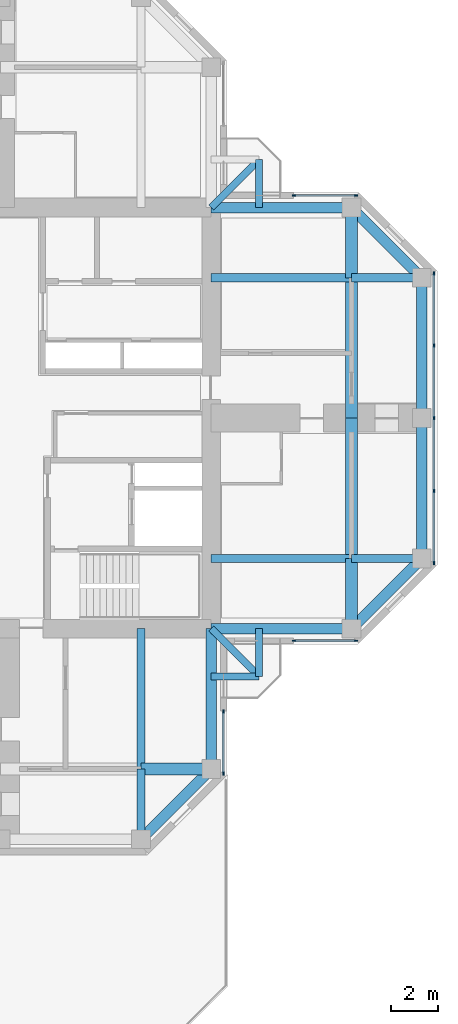
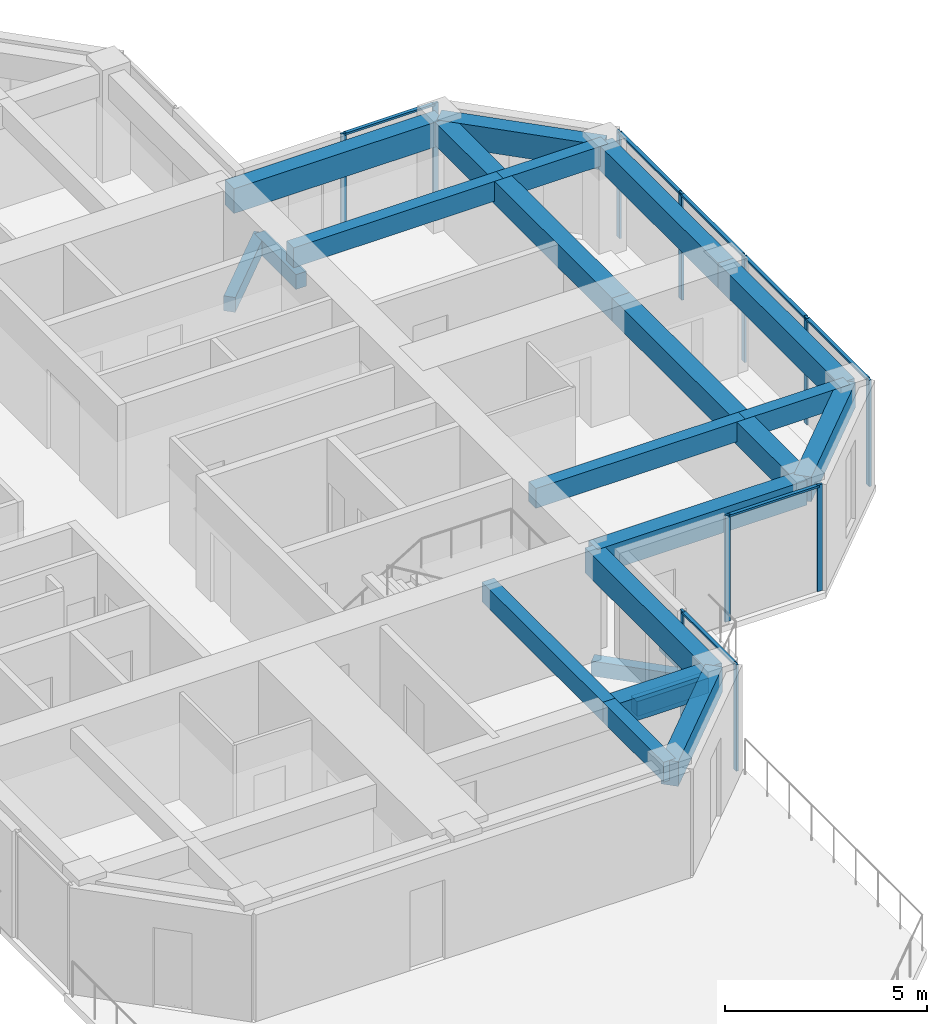
# One storey, part 5 of 14: 24 beams, 18 members, 4 elements without a shape of their own.
"""IFC4 building model written with IfcOpenShell, lengths in metres."""

from ifc_helpers import new_model, si_unit, direction, frame, origin, origin_2d, place, context, subcontext, project, spatial, rectangle, extrude, material, material_profile, profile_set, type_object, element, aggregate, save


model = new_model("IFC4")

# Units and contexts
model_context = context("Model", 3, precision=1e-05, world=origin(), true_north=direction((0.0, 1.0)))
body_context = subcontext(model_context, "Body", "Model", "MODEL_VIEW")
ifc_project = project(units=[si_unit("LENGTHUNIT", "METRE"), si_unit("AREAUNIT", "SQUARE_METRE"), si_unit("VOLUMEUNIT", "CUBIC_METRE"), si_unit("PLANEANGLEUNIT", "RADIAN"), si_unit("MASSUNIT", "GRAM", prefix="KILO")], contexts=[model_context])

# Site, building, storey
site_placement = place(None, origin())
site = spatial("IfcSite", under=ifc_project, at=site_placement, CompositionType="ELEMENT")
building_placement = place(site_placement, origin())
building = spatial("IfcBuilding", under=site, at=building_placement, Name="Torre Cruceta", CompositionType="ELEMENT")
storey_placement = place(building_placement, frame((0.0, 0.0, 222.10009765625)))
storey = spatial("IfcBuildingStorey", under=building, at=storey_placement, Name="L56", CompositionType="ELEMENT", Elevation=222.10009765625)

# Beams
ifc_material_1 = material(Name="Concrete G60 (fck 60 MPa)", Category="concrete")
ifc_material_profile_1 = material_profile(ifc_material_1, rectangle(XDim=0.300048828125, YDim=0.449951171875, at=origin_2d()), Name="RC 300X450")
ifc_profile_set_1 = profile_set([ifc_material_profile_1], Name="Concrete G60 (fck 60 MPa)")
beam_type_1 = type_object("IfcBeamType", Name="BALCONY CANTILEVER BEAM RC 300X450", PredefinedType="BEAM", material=ifc_profile_set_1)
beam_1_placement = place(storey_placement, frame((9.0, 9.0, -0.405029296875), z_axis=(0.707106781187, 0.707106781187, 0.0), x_axis=(-0.707106781187, 0.707106781187, 0.0)))
element("IfcBeam", 1, at=beam_1_placement, inside=storey, type_object=beam_type_1, Name="BB1 balcony beam L56 E", PredefinedType="BEAM", context=body_context, shape_type="SweptSolid", body=[
    extrude(rectangle(XDim=0.300048828125, YDim=0.449951171875, at=origin_2d()), origin(), (0.0, 0.0, 1.0), 2.89990234375),
])
beam_2_placement = place(storey_placement, frame((11.050537109375, 9.0, -0.405029296875), z_axis=(0.0, 1.0, 0.0), x_axis=(-1.0, 0.0, 0.0)))
element("IfcBeam", 2, at=beam_2_placement, inside=storey, type_object=beam_type_1, Name="BB1 balcony edge beam L56 E-X", PredefinedType="BEAM", context=body_context, shape_type="SweptSolid", body=[
    extrude(rectangle(XDim=0.300048828125, YDim=0.449951171875, at=origin_2d()), origin(), (0.0, 0.0, 1.0), 2.050537109375),
])
beam_3_placement = place(storey_placement, frame((9.0, -9.0, -0.405029296875), z_axis=(0.707106781187, -0.707106781187, 0.0), x_axis=(0.707106781187, 0.707106781187, 0.0)))
element("IfcBeam", 3, at=beam_3_placement, inside=storey, type_object=beam_type_1, Name="BB1 balcony beam L56 S", PredefinedType="BEAM", context=body_context, shape_type="SweptSolid", body=[
    extrude(rectangle(XDim=0.300048828125, YDim=0.449951171875, at=origin_2d()), origin(), (0.0, 0.0, 1.0), 2.89990234375),
])
for number, where, z_axis, x_axis, name in (
    (4, (11.050537109375, -9.0, -0.405029296875), (0.0, -1.0, 0.0), (1.0, 0.0, 0.0), "BB1 balcony edge beam L56 S-X"),
    (5, (9.0, -11.050537109375, -0.405029296875), (1.0, 0.0, 0.0), (0.0, 1.0, 0.0), "BB1 balcony edge beam L56 S-Y"),
):
    element("IfcBeam", number, at=place(storey_placement, frame(where, z_axis=z_axis, x_axis=x_axis)), inside=storey, type_object=beam_type_1, Name=name, PredefinedType="BEAM", context=body_context, shape_type="SweptSolid", body=[
        extrude(rectangle(XDim=0.300048828125, YDim=0.449951171875, at=origin_2d()), origin(), (0.0, 0.0, 1.0), 2.050537109375),
    ])
ifc_material_2 = material(Name="Concrete G60 (fck 60 MPa)", Category="concrete")
ifc_material_profile_2 = material_profile(ifc_material_2, rectangle(XDim=0.35009765625, YDim=0.60009765625, at=origin_2d()), Name="RC 350X600")
ifc_profile_set_2 = profile_set([ifc_material_profile_2], Name="Concrete G60 (fck 60 MPa)")
beam_type_2 = type_object("IfcBeamType", Name="COLUMN LINE BEAM RC 350X600", PredefinedType="BEAM", material=ifc_profile_set_2)
beam_4_placement = place(storey_placement, frame((9.0, -6.0, 2.919921875), z_axis=(1.0, 0.0, 0.0), x_axis=(0.0, 1.0, 0.0)))
element("IfcBeam", 6, at=beam_4_placement, inside=storey, type_object=beam_type_2, Name="LB9 L56 E col- 1", PredefinedType="BEAM", context=body_context, shape_type="SweptSolid", body=[
    extrude(rectangle(XDim=0.35009765625, YDim=0.60009765625, at=origin_2d()), origin(), (0.0, 0.0, 1.0), 6.0),
])
beam_5_placement = place(storey_placement, frame((15.0, -6.0, 2.919921875), z_axis=(1.0, 0.0, 0.0), x_axis=(0.0, 1.0, 0.0)))
element("IfcBeam", 7, at=beam_5_placement, inside=storey, type_object=beam_type_2, Name="LB9 L56 E col- 2", PredefinedType="BEAM", context=body_context, shape_type="SweptSolid", body=[
    extrude(rectangle(XDim=0.35009765625, YDim=0.60009765625, at=origin_2d()), origin(), (0.0, 0.0, 1.0), 3.0),
])
beam_6_placement = place(storey_placement, frame((9.0, 6.0, 2.919921875), z_axis=(1.0, 0.0, 0.0), x_axis=(0.0, 1.0, 0.0)))
element("IfcBeam", 8, at=beam_6_placement, inside=storey, type_object=beam_type_2, Name="LB9 L56 E col+ 1", PredefinedType="BEAM", context=body_context, shape_type="SweptSolid", body=[
    extrude(rectangle(XDim=0.35009765625, YDim=0.60009765625, at=origin_2d()), origin(), (0.0, 0.0, 1.0), 6.0),
])
beam_7_placement = place(storey_placement, frame((15.0, 6.0, 2.919921875), z_axis=(1.0, 0.0, 0.0), x_axis=(0.0, 1.0, 0.0)))
element("IfcBeam", 9, at=beam_7_placement, inside=storey, type_object=beam_type_2, Name="LB9 L56 E col+ 2", PredefinedType="BEAM", context=body_context, shape_type="SweptSolid", body=[
    extrude(rectangle(XDim=0.35009765625, YDim=0.60009765625, at=origin_2d()), origin(), (0.0, 0.0, 1.0), 3.0),
])
beam_8_placement = place(storey_placement, frame((6.0, -9.0, 2.919921875), z_axis=(0.0, -1.0, 0.0), x_axis=(1.0, 0.0, 0.0)))
element("IfcBeam", 10, at=beam_8_placement, inside=storey, type_object=beam_type_2, Name="LB9 L56 S col+ 1", PredefinedType="BEAM", context=body_context, shape_type="SweptSolid", body=[
    extrude(rectangle(XDim=0.35009765625, YDim=0.60009765625, at=origin_2d()), origin(), (0.0, 0.0, 1.0), 6.0),
])
beam_9_placement = place(storey_placement, frame((6.0, -15.0, 2.919921875), z_axis=(0.0, -1.0, 0.0), x_axis=(1.0, 0.0, 0.0)))
element("IfcBeam", 11, at=beam_9_placement, inside=storey, type_object=beam_type_2, Name="LB9 L56 S col+ 2", PredefinedType="BEAM", context=body_context, shape_type="SweptSolid", body=[
    extrude(rectangle(XDim=0.35009765625, YDim=0.60009765625, at=origin_2d()), origin(), (0.0, 0.0, 1.0), 3.0),
])
ifc_material_3 = material(Name="Concrete G60 (fck 60 MPa)", Category="concrete")
ifc_material_profile_3 = material_profile(ifc_material_3, rectangle(XDim=0.5, YDim=0.699951171875, at=origin_2d()), Name="RC 500X700")
ifc_profile_set_3 = profile_set([ifc_material_profile_3], Name="Concrete G60 (fck 60 MPa)")
beam_type_3 = type_object("IfcBeamType", Name="CROSS BEAM RC 500X700", PredefinedType="BEAM", material=ifc_profile_set_3)
beam_10_placement = place(storey_placement, frame((15.0, -9.0, 2.869873046875), z_axis=(0.0, 1.0, 0.0), x_axis=(-1.0, 0.0, 0.0)))
element("IfcBeam", 12, at=beam_10_placement, inside=storey, type_object=beam_type_3, Name="GB7 L56 E cross15 1", PredefinedType="BEAM", context=body_context, shape_type="SweptSolid", body=[
    extrude(rectangle(XDim=0.5, YDim=0.699951171875, at=origin_2d()), origin(), (0.0, 0.0, 1.0), 3.0),
])
for number, where, z_axis, x_axis, name in (
    (13, (15.0, -6.0, 2.869873046875), (0.0, 1.0, 0.0), (-1.0, 0.0, 0.0), "GB7 L56 E cross15 2"),
    (14, (15.0, 0.0, 2.869873046875), (0.0, 1.0, 0.0), (-1.0, 0.0, 0.0), "GB7 L56 E cross15 3"),
):
    element("IfcBeam", number, at=place(storey_placement, frame(where, z_axis=z_axis, x_axis=x_axis)), inside=storey, type_object=beam_type_3, Name=name, PredefinedType="BEAM", context=body_context, shape_type="SweptSolid", body=[
        extrude(rectangle(XDim=0.5, YDim=0.699951171875, at=origin_2d()), origin(), (0.0, 0.0, 1.0), 6.0),
    ])
for number, where, z_axis, x_axis, name in (
    (15, (15.0, 6.0, 2.869873046875), (0.0, 1.0, 0.0), (-1.0, 0.0, 0.0), "GB7 L56 E cross15 4"),
    (16, (6.0, -15.0, 2.869873046875), (1.0, 0.0, 0.0), (0.0, 1.0, 0.0), "GB7 L56 S cross15 4"),
):
    element("IfcBeam", number, at=place(storey_placement, frame(where, z_axis=z_axis, x_axis=x_axis)), inside=storey, type_object=beam_type_3, Name=name, PredefinedType="BEAM", context=body_context, shape_type="SweptSolid", body=[
        extrude(rectangle(XDim=0.5, YDim=0.699951171875, at=origin_2d()), origin(), (0.0, 0.0, 1.0), 3.0),
    ])

# Curtain wall, members
ifc_material_4 = material(Name="Aluminium unitised curtain wall", Category="aluminium")
curtain_wall_type = type_object("IfcCurtainWallType", Name="CURTAIN WALL CW-D CO-LIVING UPPER", PredefinedType="USERDEFINED", material=ifc_material_4)
curtain_wall_1_placement = place(storey_placement, origin())
curtain_wall_1 = element("IfcCurtainWall", 17, at=curtain_wall_1_placement, inside=storey, type_object=curtain_wall_type, Name="CW-D L56 E side 00", ObjectType="UNITISED", PredefinedType="USERDEFINED")
ifc_material_5 = material(Name="Aluminium mullion", Category="aluminium")
ifc_material_profile_4 = material_profile(ifc_material_5, rectangle(XDim=0.06005859375, YDim=0.14990234375, at=origin_2d()), Name="AL 60X150")
ifc_profile_set_4 = profile_set([ifc_material_profile_4], Name="Aluminium mullion")
member_type_1 = type_object("IfcMemberType", Name="CW-D MULLION 60X150", PredefinedType="MULLION", material=ifc_profile_set_4)
member_1_placement = place(storey_placement, frame((12.550048828125, -9.52001953125, 0.0), z_axis=(0.0, 0.0, 1.0), x_axis=(0.0, 1.0, 0.0)))
member_1 = element("IfcMember", 18, at=member_1_placement, type_object=member_type_1, Name="CW-D mullion 1", PredefinedType="MULLION", context=body_context, shape_type="SweptSolid", body=[
    extrude(rectangle(XDim=0.06005859375, YDim=0.14990234375, at=origin_2d()), origin(), (0.0, 0.0, 1.0), 3.219970703125),
])
member_2_placement = place(storey_placement, frame((15.185302734375, -9.52001953125, 0.0), z_axis=(0.0, 0.0, 1.0), x_axis=(0.0, 1.0, 0.0)))
member_2 = element("IfcMember", 19, at=member_2_placement, type_object=member_type_1, Name="CW-D mullion 2", PredefinedType="MULLION", context=body_context, shape_type="SweptSolid", body=[
    extrude(rectangle(XDim=0.06005859375, YDim=0.14990234375, at=origin_2d()), origin(), (0.0, 0.0, 1.0), 3.219970703125),
])

curtain_wall_2_placement = place(storey_placement, origin())
curtain_wall_2 = element("IfcCurtainWall", 20, at=curtain_wall_2_placement, inside=storey, type_object=curtain_wall_type, Name="CW-D L56 E tip 02", ObjectType="UNITISED", PredefinedType="USERDEFINED")
member_3_placement = place(storey_placement, frame((18.52001953125, -6.185302734375, 0.0), z_axis=(0.0, 0.0, 1.0), x_axis=(-1.0, 0.0, 0.0)))
member_3 = element("IfcMember", 21, at=member_3_placement, type_object=member_type_1, Name="CW-D mullion 1", PredefinedType="MULLION", context=body_context, shape_type="SweptSolid", body=[
    extrude(rectangle(XDim=0.06005859375, YDim=0.14990234375, at=origin_2d()), origin(), (0.0, 0.0, 1.0), 3.219970703125),
])
member_4_placement = place(storey_placement, frame((18.52001953125, -3.107666015625, 0.0), z_axis=(0.0, 0.0, 1.0), x_axis=(-1.0, 0.0, 0.0)))
member_4 = element("IfcMember", 22, at=member_4_placement, type_object=member_type_1, Name="CW-D mullion 2", PredefinedType="MULLION", context=body_context, shape_type="SweptSolid", body=[
    extrude(rectangle(XDim=0.06005859375, YDim=0.14990234375, at=origin_2d()), origin(), (0.0, 0.0, 1.0), 3.219970703125),
])
member_5_placement = place(storey_placement, frame((18.52001953125, 0.0, 0.0), z_axis=(0.0, 0.0, 1.0), x_axis=(-1.0, 0.0, 0.0)))
member_5 = element("IfcMember", 23, at=member_5_placement, type_object=member_type_1, Name="CW-D mullion 3", PredefinedType="MULLION", context=body_context, shape_type="SweptSolid", body=[
    extrude(rectangle(XDim=0.06005859375, YDim=0.14990234375, at=origin_2d()), origin(), (0.0, 0.0, 1.0), 3.219970703125),
])
member_6_placement = place(storey_placement, frame((18.52001953125, 3.107666015625, 0.0), z_axis=(0.0, 0.0, 1.0), x_axis=(-1.0, 0.0, 0.0)))
member_6 = element("IfcMember", 24, at=member_6_placement, type_object=member_type_1, Name="CW-D mullion 4", PredefinedType="MULLION", context=body_context, shape_type="SweptSolid", body=[
    extrude(rectangle(XDim=0.06005859375, YDim=0.14990234375, at=origin_2d()), origin(), (0.0, 0.0, 1.0), 3.219970703125),
])
member_7_placement = place(storey_placement, frame((18.52001953125, 6.185302734375, 0.0), z_axis=(0.0, 0.0, 1.0), x_axis=(-1.0, 0.0, 0.0)))
member_7 = element("IfcMember", 25, at=member_7_placement, type_object=member_type_1, Name="CW-D mullion 5", PredefinedType="MULLION", context=body_context, shape_type="SweptSolid", body=[
    extrude(rectangle(XDim=0.06005859375, YDim=0.14990234375, at=origin_2d()), origin(), (0.0, 0.0, 1.0), 3.219970703125),
])

curtain_wall_3_placement = place(storey_placement, origin())
curtain_wall_3 = element("IfcCurtainWall", 26, at=curtain_wall_3_placement, inside=storey, type_object=curtain_wall_type, Name="CW-D L56 E side 04", ObjectType="UNITISED", PredefinedType="USERDEFINED")
member_8_placement = place(storey_placement, frame((15.185302734375, 9.52001953125, 0.0), z_axis=(0.0, 0.0, 1.0), x_axis=(0.0, -1.0, 0.0)))
member_8 = element("IfcMember", 27, at=member_8_placement, type_object=member_type_1, Name="CW-D mullion 1", PredefinedType="MULLION", context=body_context, shape_type="SweptSolid", body=[
    extrude(rectangle(XDim=0.06005859375, YDim=0.14990234375, at=origin_2d()), origin(), (0.0, 0.0, 1.0), 3.219970703125),
])
member_9_placement = place(storey_placement, frame((12.550048828125, 9.52001953125, 0.0), z_axis=(0.0, 0.0, 1.0), x_axis=(0.0, -1.0, 0.0)))
member_9 = element("IfcMember", 28, at=member_9_placement, type_object=member_type_1, Name="CW-D mullion 2", PredefinedType="MULLION", context=body_context, shape_type="SweptSolid", body=[
    extrude(rectangle(XDim=0.06005859375, YDim=0.14990234375, at=origin_2d()), origin(), (0.0, 0.0, 1.0), 3.219970703125),
])

curtain_wall_4_placement = place(storey_placement, origin())
curtain_wall_4 = element("IfcCurtainWall", 29, at=curtain_wall_4_placement, inside=storey, type_object=curtain_wall_type, Name="CW-D L56 S side 19", ObjectType="UNITISED", PredefinedType="USERDEFINED")
member_10_placement = place(storey_placement, frame((9.52001953125, -15.185302734375, 0.0), z_axis=(0.0, 0.0, 1.0), x_axis=(-1.0, 0.0, 0.0)))
member_10 = element("IfcMember", 30, at=member_10_placement, type_object=member_type_1, Name="CW-D mullion 1", PredefinedType="MULLION", context=body_context, shape_type="SweptSolid", body=[
    extrude(rectangle(XDim=0.06005859375, YDim=0.14990234375, at=origin_2d()), origin(), (0.0, 0.0, 1.0), 3.219970703125),
])
member_11_placement = place(storey_placement, frame((9.52001953125, -12.550048828125, 0.0), z_axis=(0.0, 0.0, 1.0), x_axis=(-1.0, 0.0, 0.0)))
member_11 = element("IfcMember", 31, at=member_11_placement, type_object=member_type_1, Name="CW-D mullion 2", PredefinedType="MULLION", context=body_context, shape_type="SweptSolid", body=[
    extrude(rectangle(XDim=0.06005859375, YDim=0.14990234375, at=origin_2d()), origin(), (0.0, 0.0, 1.0), 3.219970703125),
])

# Member
ifc_material_6 = material(Name="Aluminium transom", Category="aluminium")
ifc_material_profile_5 = material_profile(ifc_material_6, rectangle(XDim=0.10009765625, YDim=0.06005859375, at=origin_2d()), Name="AL 100X60")
ifc_profile_set_5 = profile_set([ifc_material_profile_5], Name="Aluminium transom")
member_type_2 = type_object("IfcMemberType", Name="CW-D TRANSOM 60X100", PredefinedType="USERDEFINED", material=ifc_profile_set_5)
member_12_placement = place(storey_placement, frame((12.580078125, -9.52001953125, 3.18994140625), z_axis=(1.0, 0.0, 0.0), x_axis=(0.0, 1.0, 0.0)))
member_12 = element("IfcMember", 32, at=member_12_placement, type_object=member_type_2, Name="CW-D transom 1", ObjectType="TRANSOM", PredefinedType="USERDEFINED", context=body_context, shape_type="SweptSolid", body=[
    extrude(rectangle(XDim=0.10009765625, YDim=0.06005859375, at=origin_2d()), origin(), (0.0, 0.0, 1.0), 2.5751953125),
])

aggregate(curtain_wall_1, [member_1, member_2, member_12])

member_13_placement = place(storey_placement, frame((18.52001953125, -6.1552734375, 3.18994140625), z_axis=(0.0, 1.0, 0.0), x_axis=(-1.0, 0.0, 0.0)))
member_13 = element("IfcMember", 33, at=member_13_placement, type_object=member_type_2, Name="CW-D transom 1", ObjectType="TRANSOM", PredefinedType="USERDEFINED", context=body_context, shape_type="SweptSolid", body=[
    extrude(rectangle(XDim=0.10009765625, YDim=0.06005859375, at=origin_2d()), origin(), (0.0, 0.0, 1.0), 3.017578125),
])

member_14_placement = place(storey_placement, frame((18.52001953125, -3.07763671875, 3.18994140625), z_axis=(0.0, 1.0, 0.0), x_axis=(-1.0, 0.0, 0.0)))
member_14 = element("IfcMember", 34, at=member_14_placement, type_object=member_type_2, Name="CW-D transom 2", ObjectType="TRANSOM", PredefinedType="USERDEFINED", context=body_context, shape_type="SweptSolid", body=[
    extrude(rectangle(XDim=0.10009765625, YDim=0.06005859375, at=origin_2d()), origin(), (0.0, 0.0, 1.0), 3.047607421875),
])

member_15_placement = place(storey_placement, frame((18.52001953125, 0.030029296875, 3.18994140625), z_axis=(0.0, 1.0, 0.0), x_axis=(-1.0, 0.0, 0.0)))
member_15 = element("IfcMember", 35, at=member_15_placement, type_object=member_type_2, Name="CW-D transom 3", ObjectType="TRANSOM", PredefinedType="USERDEFINED", context=body_context, shape_type="SweptSolid", body=[
    extrude(rectangle(XDim=0.10009765625, YDim=0.06005859375, at=origin_2d()), origin(), (0.0, 0.0, 1.0), 3.047607421875),
])

member_16_placement = place(storey_placement, frame((18.52001953125, 3.1376953125, 3.18994140625), z_axis=(0.0, 1.0, 0.0), x_axis=(-1.0, 0.0, 0.0)))
member_16 = element("IfcMember", 36, at=member_16_placement, type_object=member_type_2, Name="CW-D transom 4", ObjectType="TRANSOM", PredefinedType="USERDEFINED", context=body_context, shape_type="SweptSolid", body=[
    extrude(rectangle(XDim=0.10009765625, YDim=0.06005859375, at=origin_2d()), origin(), (0.0, 0.0, 1.0), 3.017578125),
])

aggregate(curtain_wall_2, [member_3, member_4, member_5, member_6, member_7, member_13, member_14, member_15, member_16])

member_17_placement = place(storey_placement, frame((15.1552734375, 9.52001953125, 3.18994140625), z_axis=(-1.0, 0.0, 0.0), x_axis=(0.0, -1.0, 0.0)))
member_17 = element("IfcMember", 37, at=member_17_placement, type_object=member_type_2, Name="CW-D transom 1", ObjectType="TRANSOM", PredefinedType="USERDEFINED", context=body_context, shape_type="SweptSolid", body=[
    extrude(rectangle(XDim=0.10009765625, YDim=0.06005859375, at=origin_2d()), origin(), (0.0, 0.0, 1.0), 2.5751953125),
])

aggregate(curtain_wall_3, [member_8, member_9, member_17])

member_18_placement = place(storey_placement, frame((9.52001953125, -15.1552734375, 3.18994140625), z_axis=(0.0, 1.0, 0.0), x_axis=(-1.0, 0.0, 0.0)))
member_18 = element("IfcMember", 38, at=member_18_placement, type_object=member_type_2, Name="CW-D transom 1", ObjectType="TRANSOM", PredefinedType="USERDEFINED", context=body_context, shape_type="SweptSolid", body=[
    extrude(rectangle(XDim=0.10009765625, YDim=0.06005859375, at=origin_2d()), origin(), (0.0, 0.0, 1.0), 2.5751953125),
])

aggregate(curtain_wall_4, [member_10, member_11, member_18])

# Beams
ifc_material_7 = material(Name="Concrete G60 (fck 60 MPa)", Category="concrete")
ifc_material_profile_6 = material_profile(ifc_material_7, rectangle(XDim=0.449951171875, YDim=0.75, at=origin_2d()), Name="RC 450X750")
ifc_profile_set_6 = profile_set([ifc_material_profile_6], Name="Concrete G60 (fck 60 MPa)")
beam_type_4 = type_object("IfcBeamType", Name="SPANDREL BEAM RC 450X750", PredefinedType="SPANDREL", material=ifc_profile_set_6)
beam_11_placement = place(storey_placement, frame((9.0, -9.0, 2.844970703125), z_axis=(1.0, 0.0, 0.0), x_axis=(0.0, 1.0, 0.0)))
element("IfcBeam", 39, at=beam_11_placement, inside=storey, type_object=beam_type_4, Name="SB7 L56 E side- 1", PredefinedType="SPANDREL", context=body_context, shape_type="SweptSolid", body=[
    extrude(rectangle(XDim=0.449951171875, YDim=0.75, at=origin_2d()), origin(), (0.0, 0.0, 1.0), 6.0),
])
beam_12_placement = place(storey_placement, frame((15.0, -9.0, 2.844970703125), z_axis=(0.707106781187, 0.707106781187, 0.0), x_axis=(-0.707106781187, 0.707106781187, 0.0)))
element("IfcBeam", 40, at=beam_12_placement, inside=storey, type_object=beam_type_4, Name="SB7 L56 E side- 2", PredefinedType="SPANDREL", context=body_context, shape_type="SweptSolid", body=[
    extrude(rectangle(XDim=0.449951171875, YDim=0.75, at=origin_2d()), origin(), (0.0, 0.0, 1.0), 4.24267578125),
])
beam_13_placement = place(storey_placement, frame((9.0, 9.0, 2.844970703125), z_axis=(1.0, 0.0, 0.0), x_axis=(0.0, 1.0, 0.0)))
element("IfcBeam", 41, at=beam_13_placement, inside=storey, type_object=beam_type_4, Name="SB7 L56 E side+ 1", PredefinedType="SPANDREL", context=body_context, shape_type="SweptSolid", body=[
    extrude(rectangle(XDim=0.449951171875, YDim=0.75, at=origin_2d()), origin(), (0.0, 0.0, 1.0), 6.0),
])
beam_14_placement = place(storey_placement, frame((15.0, 9.0, 2.844970703125), z_axis=(0.707106781187, -0.707106781187, 0.0), x_axis=(0.707106781187, 0.707106781187, 0.0)))
element("IfcBeam", 42, at=beam_14_placement, inside=storey, type_object=beam_type_4, Name="SB7 L56 E side+ 2", PredefinedType="SPANDREL", context=body_context, shape_type="SweptSolid", body=[
    extrude(rectangle(XDim=0.449951171875, YDim=0.75, at=origin_2d()), origin(), (0.0, 0.0, 1.0), 4.24267578125),
])
for number, where, z_axis, x_axis, name in (
    (43, (18.0, -6.0, 2.844970703125), (0.0, 1.0, 0.0), (-1.0, 0.0, 0.0), "SB7 L56 E tip 1"),
    (44, (18.0, 0.0, 2.844970703125), (0.0, 1.0, 0.0), (-1.0, 0.0, 0.0), "SB7 L56 E tip 2"),
    (45, (9.0, -9.0, 2.844970703125), (0.0, -1.0, 0.0), (1.0, 0.0, 0.0), "SB7 L56 S side+ 1"),
):
    element("IfcBeam", number, at=place(storey_placement, frame(where, z_axis=z_axis, x_axis=x_axis)), inside=storey, type_object=beam_type_4, Name=name, PredefinedType="SPANDREL", context=body_context, shape_type="SweptSolid", body=[
        extrude(rectangle(XDim=0.449951171875, YDim=0.75, at=origin_2d()), origin(), (0.0, 0.0, 1.0), 6.0),
    ])
beam_15_placement = place(storey_placement, frame((9.0, -15.0, 2.844970703125), z_axis=(-0.707106781187, -0.707106781187, 0.0), x_axis=(0.707106781187, -0.707106781187, 0.0)))
element("IfcBeam", 46, at=beam_15_placement, inside=storey, type_object=beam_type_4, Name="SB7 L56 S side+ 2", PredefinedType="SPANDREL", context=body_context, shape_type="SweptSolid", body=[
    extrude(rectangle(XDim=0.449951171875, YDim=0.75, at=origin_2d()), origin(), (0.0, 0.0, 1.0), 4.24267578125),
])

save(model, "model.ifc")
